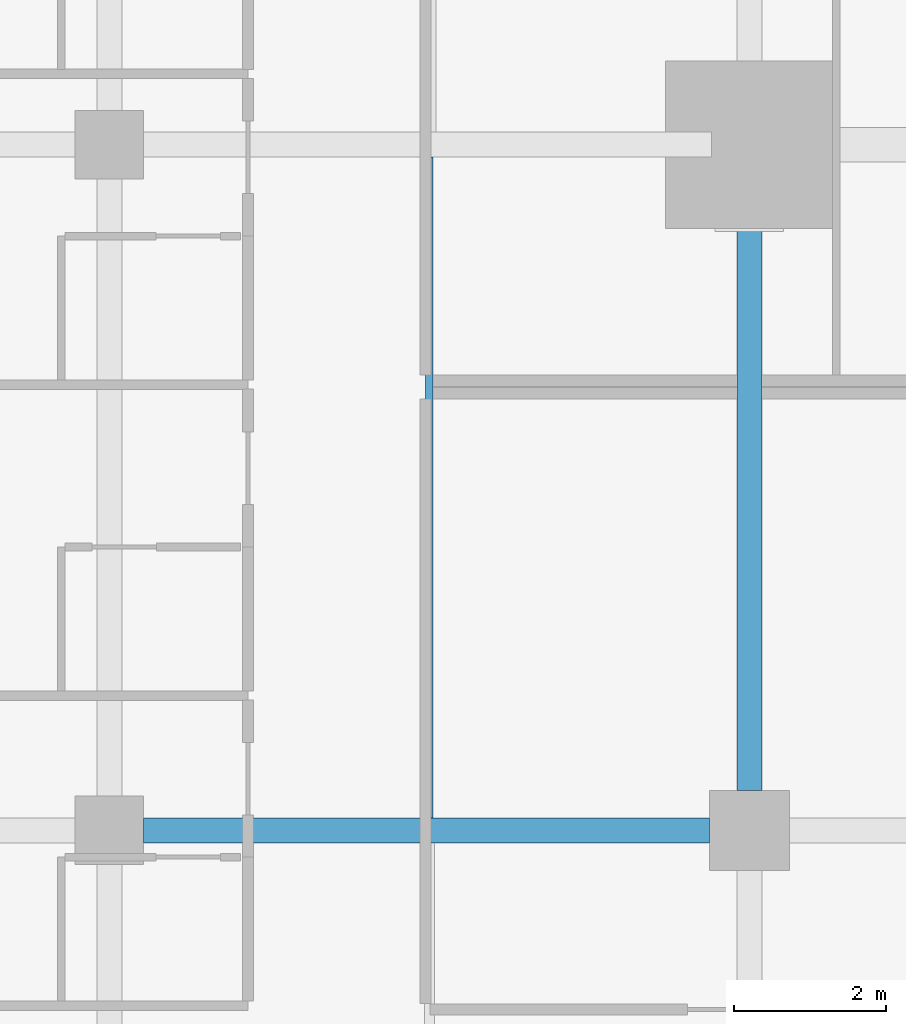
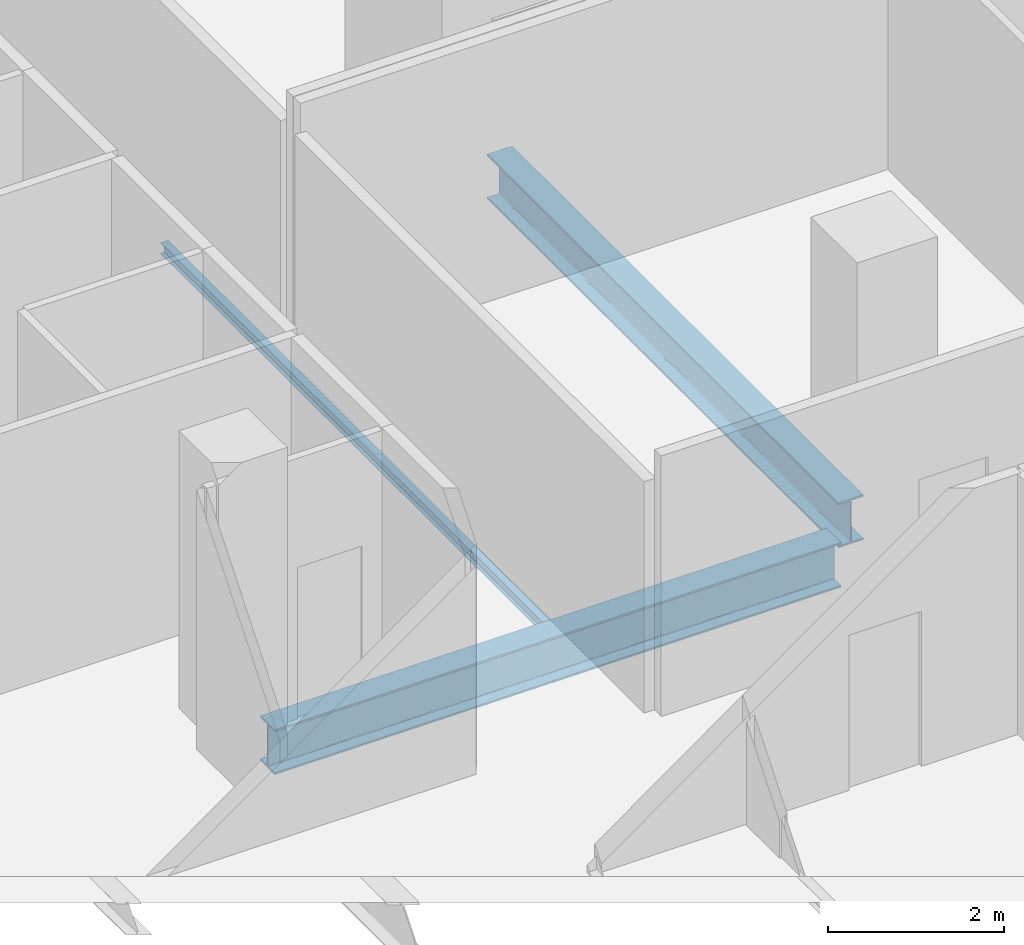
# One storey, part 11 of 40: 3 beams.
"""IFC4 building model written with IfcOpenShell, lengths in metres."""

from ifc_helpers import new_model, si_unit, direction, frame, origin, origin_2d, place, context, subcontext, project, spatial, i_section, extrude, material, material_profile, profile_set, type_object, element, save


model = new_model("IFC4")

# Units and contexts
model_context = context("Model", 3, precision=1e-05, world=origin(), true_north=direction((0.0, 1.0)))
body_context = subcontext(model_context, "Body", "Model", "MODEL_VIEW")
ifc_project = project(units=[si_unit("LENGTHUNIT", "METRE"), si_unit("AREAUNIT", "SQUARE_METRE"), si_unit("VOLUMEUNIT", "CUBIC_METRE"), si_unit("PLANEANGLEUNIT", "RADIAN"), si_unit("MASSUNIT", "GRAM", prefix="KILO")], contexts=[model_context])

# Site, building, storey
site_placement = place(None, origin())
site = spatial("IfcSite", under=ifc_project, at=site_placement, CompositionType="ELEMENT")
building_placement = place(site_placement, origin())
building = spatial("IfcBuilding", under=site, at=building_placement, Name="Maruvema Waterfront Hotel and Observation Tower", CompositionType="ELEMENT")
storey_placement = place(building_placement, frame((0.0, 0.0, 53.89990234375)))
storey = spatial("IfcBuildingStorey", under=building, at=storey_placement, Name="L12", CompositionType="ELEMENT", Elevation=53.89990234375)

# Beams
ifc_material_1 = material(Name="Steel ASTM A572 Grade 50", Category="steel")
ifc_material_profile_1 = material_profile(ifc_material_1, i_section(OverallWidth=0.326904296875, OverallDepth=0.6220703125, WebThickness=0.015380859375, FlangeThickness=0.0244140625, FilletRadius=0.01806640625, at=origin_2d()), Name="W610x195.0")
ifc_profile_set_1 = profile_set([ifc_material_profile_1], Name="Steel ASTM A572 Grade 50")
beam_type_1 = type_object("IfcBeamType", Name="Primary Floor Girder W610x195.0", PredefinedType="BEAM", material=ifc_profile_set_1)
beam_1_placement = place(storey_placement, frame((17.25, 18.0, -0.55078125), z_axis=(1.0, 0.0, 0.0), x_axis=(0.0, 1.0, 0.0)))
element("IfcBeam", 1, at=beam_1_placement, inside=storey, type_object=beam_type_1, Name="L12 Floor Girder EW-14", PredefinedType="BEAM", context=body_context, shape_type="SweptSolid", body=[
    extrude(i_section(OverallWidth=0.326904296875, OverallDepth=0.6220703125, WebThickness=0.015380859375, FlangeThickness=0.0244140625, FilletRadius=0.01806640625, at=origin_2d()), origin(), (0.0, 0.0, 1.0), 7.425048828125),
])
beam_2_placement = place(storey_placement, frame((25.199951171875, 18.52490234375, -0.55078125), z_axis=(0.0, 1.0, 0.0), x_axis=(-1.0, 0.0, 0.0)))
element("IfcBeam", 2, at=beam_2_placement, inside=storey, type_object=beam_type_1, Name="L12 Floor Girder NS-13", PredefinedType="BEAM", context=body_context, shape_type="SweptSolid", body=[
    extrude(i_section(OverallWidth=0.326904296875, OverallDepth=0.6220703125, WebThickness=0.015380859375, FlangeThickness=0.0244140625, FilletRadius=0.01806640625, at=origin_2d()), origin(), (0.0, 0.0, 1.0), 7.97509765625),
])
ifc_material_2 = material(Name="Steel ASTM A572 Grade 50", Category="steel")
ifc_material_profile_2 = material_profile(ifc_material_2, i_section(OverallWidth=0.10009765625, OverallDepth=0.153076171875, WebThickness=0.005859375, FlangeThickness=0.007080078125, FilletRadius=0.008056640625, at=origin_2d()), Name="W150x18.0")
ifc_profile_set_2 = profile_set([ifc_material_profile_2], Name="Steel ASTM A572 Grade 50")
beam_type_2 = type_object("IfcBeamType", Name="Secondary Floor Joist W150x18.0", PredefinedType="JOIST", material=ifc_profile_set_2)
beam_3_placement = place(storey_placement, frame((21.0, 18.16357421875, -0.31640625), z_axis=(0.0, 1.0, 0.0), x_axis=(-1.0, 0.0, 0.0)))
element("IfcBeam", 3, at=beam_3_placement, inside=storey, type_object=beam_type_2, Name="L12 Secondary Floor Joist JS-07", PredefinedType="JOIST", context=body_context, shape_type="SweptSolid", body=[
    extrude(i_section(OverallWidth=0.10009765625, OverallDepth=0.153076171875, WebThickness=0.005859375, FlangeThickness=0.007080078125, FilletRadius=0.008056640625, at=origin_2d()), origin(), (0.0, 0.0, 1.0), 8.6728515625),
])

save(model, "model.ifc")
